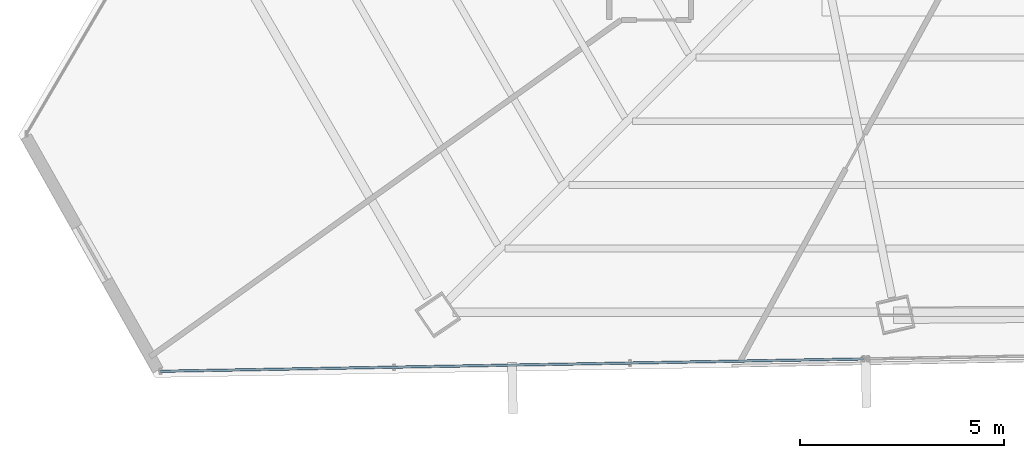
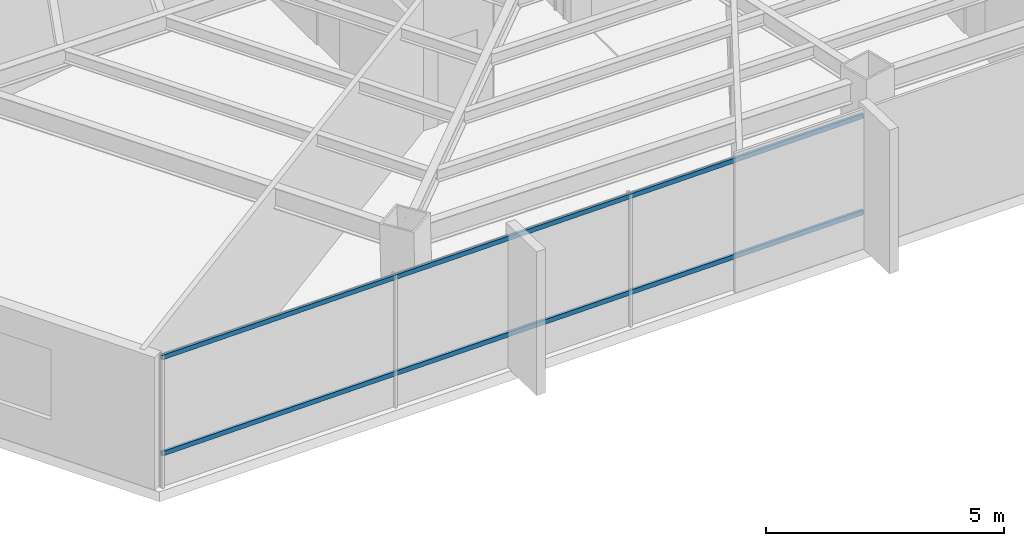
# One storey, part 5 of 42: 2 members, 1 element without a shape of its own.
"""IFC4 building model written with IfcOpenShell, lengths in metres."""

from ifc_helpers import new_model, si_unit, direction, frame, origin, origin_2d, place, context, subcontext, project, spatial, hollow_rectangle, extrude, source, transform, mapped, material, material_profile, profile_set, type_object, type_shapes, element, aggregate, save


model = new_model("IFC4")

# Units and contexts
model_context = context("Model", 3, precision=1e-05, world=origin(), true_north=direction((0.0, 1.0)))
body_context = subcontext(model_context, "Body", "Model", "MODEL_VIEW")
ifc_project = project(units=[si_unit("LENGTHUNIT", "METRE"), si_unit("AREAUNIT", "SQUARE_METRE"), si_unit("VOLUMEUNIT", "CUBIC_METRE"), si_unit("PLANEANGLEUNIT", "RADIAN"), si_unit("MASSUNIT", "GRAM", prefix="KILO")], contexts=[model_context])

# Site, building, storey
site_placement = place(None, origin())
site = spatial("IfcSite", under=ifc_project, at=site_placement, CompositionType="ELEMENT")
building_placement = place(site_placement, origin())
building = spatial("IfcBuilding", under=site, at=building_placement, Name="Caelisora Broadcast Tower", CompositionType="ELEMENT")
storey_placement = place(building_placement, frame((0.0, 0.0, 187.699951171875)))
storey = spatial("IfcBuildingStorey", under=building, at=storey_placement, Name="L49", CompositionType="ELEMENT", Elevation=187.699951171875)

# Curtain wall, members
ifc_material_1 = material(Name="Unitised Aluminium and Low-E Glass Curtain Wall", Category="glass")
curtain_wall_type = type_object("IfcCurtainWallType", Name="CW-Z4", PredefinedType="NOTDEFINED", material=ifc_material_1)
curtain_wall_placement = place(storey_placement, origin())
curtain_wall = element("IfcCurtainWall", 1, at=curtain_wall_placement, inside=storey, type_object=curtain_wall_type, Name="L49 curtain wall CW-Z4", PredefinedType="NOTDEFINED")
ifc_material_2 = material(Name="Aluminium 6063-T6 Anodised Terracotta Bronze", Category="aluminium")
ifc_material_profile = material_profile(ifc_material_2, hollow_rectangle(XDim=0.06005859375, YDim=0.1201171875, WallThickness=0.0029296875, at=origin_2d()), Name="Aluminium 6063-T6 Anodised Terracotta Bronze")
ifc_profile_set = profile_set([ifc_material_profile], Name="Aluminium 6063-T6 Anodised Terracotta Bronze")
member_type = type_object("IfcMemberType", Name="CWT-03", PredefinedType="USERDEFINED", material=ifc_profile_set)
shared_shape = source(origin(), body_context, "Body", "SweptSolid", [
    extrude(hollow_rectangle(XDim=0.06005859375, YDim=0.1201171875, WallThickness=0.0029296875, at=origin_2d()), origin(), (0.0, 0.0, 1.0), 17.203125),
])
type_shapes(member_type, [shared_shape])
member_1_placement = place(storey_placement, frame((31.617431640625, 6.9033203125, 0.85009765625), z_axis=(-0.999845398781, -0.017583473367, 0.0), x_axis=(0.017583473367, -0.999845398781, 0.0)))
member_1 = element("IfcMember", 2, at=member_1_placement, type_object=member_type, Name="L49-CW-B07 transom #1", ObjectType="TRANSOM", PredefinedType="USERDEFINED", context=body_context, shape_type="MappedRepresentation", body=[
    mapped(shared_shape, transform((0.0, 0.0, 0.0), scale=1.0)),
])
member_2_placement = place(storey_placement, frame((31.617431640625, 6.9033203125, 3.320068359375), z_axis=(-0.999845398781, -0.017583473367, 0.0), x_axis=(0.017583473367, -0.999845398781, 0.0)))
member_2 = element("IfcMember", 3, at=member_2_placement, type_object=member_type, Name="L49-CW-B07 transom #2", ObjectType="TRANSOM", PredefinedType="USERDEFINED", context=body_context, shape_type="MappedRepresentation", body=[
    mapped(shared_shape, transform((0.0, 0.0, 0.0), scale=1.0)),
])
aggregate(curtain_wall, [member_1, member_2])

save(model, "model.ifc")
